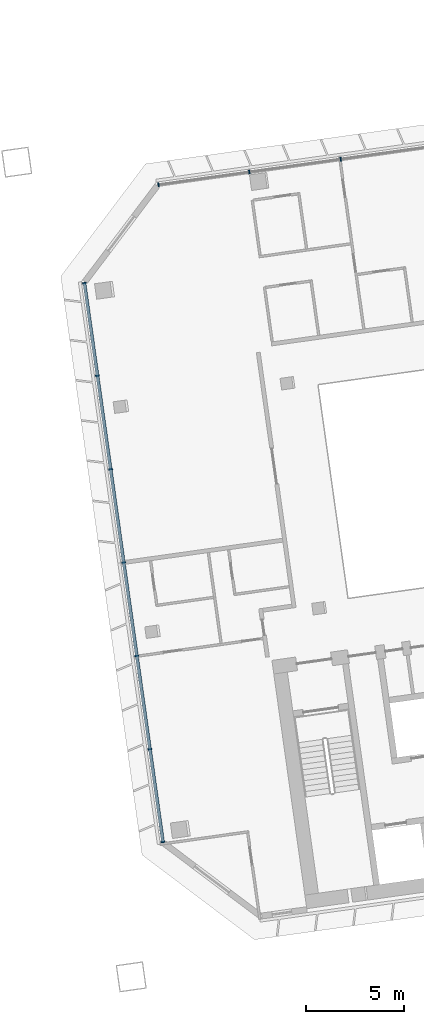
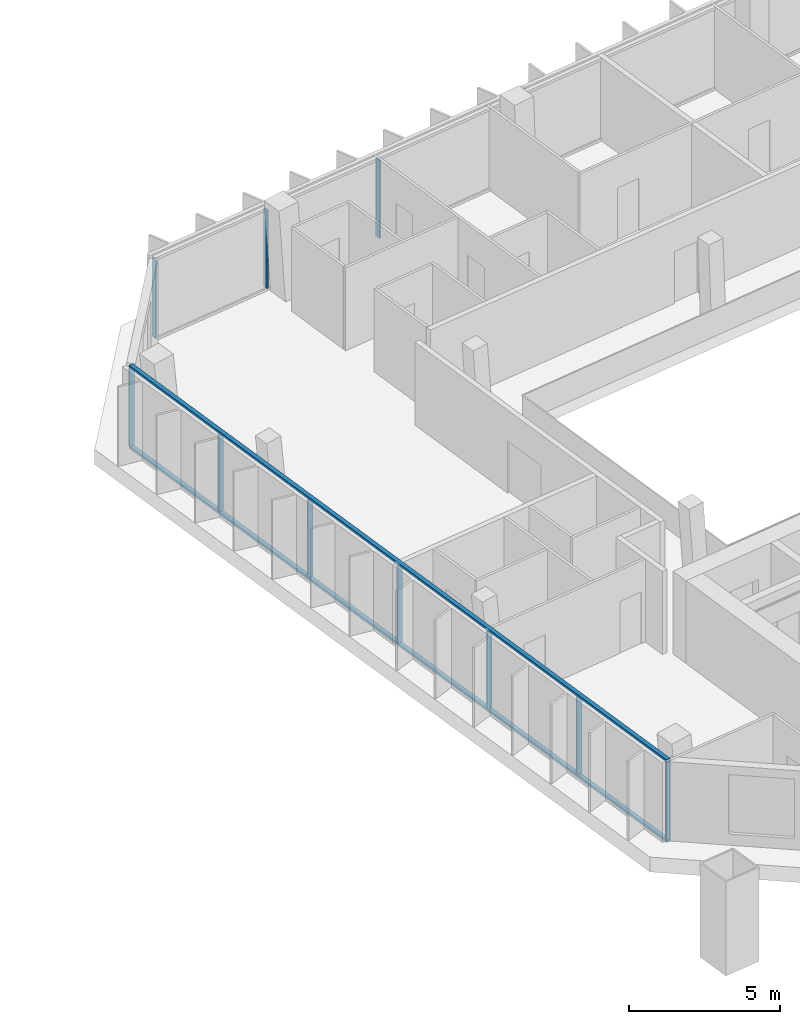
# One storey, part 7 of 23: 12 members, 2 elements without a shape of their own.
"""IFC4 building model written with IfcOpenShell, lengths in metres."""

from ifc_helpers import new_model, si_unit, direction, frame, origin, origin_2d, place, context, subcontext, project, spatial, rectangle, extrude, material, material_profile, profile_set, type_object, element, aggregate, save


model = new_model("IFC4")

# Units and contexts
model_context = context("Model", 3, precision=1e-05, world=origin(), true_north=direction((0.0, 1.0)))
body_context = subcontext(model_context, "Body", "Model", "MODEL_VIEW")
ifc_project = project(units=[si_unit("LENGTHUNIT", "METRE"), si_unit("AREAUNIT", "SQUARE_METRE"), si_unit("VOLUMEUNIT", "CUBIC_METRE"), si_unit("PLANEANGLEUNIT", "RADIAN"), si_unit("MASSUNIT", "GRAM", prefix="KILO")], contexts=[model_context])

# Site, building, storey
site_placement = place(None, origin())
site = spatial("IfcSite", under=ifc_project, at=site_placement, CompositionType="ELEMENT")
building_placement = place(site_placement, origin())
building = spatial("IfcBuilding", under=site, at=building_placement, Name="Mirante Cascada Hotel Towers", CompositionType="ELEMENT")
storey_placement = place(building_placement, frame((0.0, 0.0, 195.4)))
storey = spatial("IfcBuildingStorey", under=building, at=storey_placement, Name="L46", CompositionType="ELEMENT", Elevation=195.4)

# Curtain wall, members
ifc_material_1 = material(Name="Aluminium mullion and transom frame with clear laminated glass", Category="aluminium")
curtain_wall_type_1 = type_object("IfcCurtainWallType", Name="Ribbon curtain wall ECW1", PredefinedType="NOTDEFINED", material=ifc_material_1)
curtain_wall_1_placement = place(storey_placement, origin())
curtain_wall_1 = element("IfcCurtainWall", 1, at=curtain_wall_1_placement, inside=storey, type_object=curtain_wall_type_1, Name="Front ribbon wall T2 L46", PredefinedType="NOTDEFINED")
ifc_material_2 = material(Name="Anodised aluminium extrusion", Category="aluminium")
ifc_material_profile_1 = material_profile(ifc_material_2, rectangle(XDim=0.2, YDim=0.065, at=origin_2d()), Name="ECW1 MULLION 65x200")
ifc_profile_set_1 = profile_set([ifc_material_profile_1], Name="Anodised aluminium extrusion")
member_type_1 = type_object("IfcMemberType", Name="ECW1 mullion 65x200", PredefinedType="MULLION", material=ifc_profile_set_1)
member_1_placement = place(storey_placement, frame((39.003, 18.3005, 0.1), z_axis=(0.0, 0.0, 1.0), x_axis=(0.1391731, -0.9902681, 0.0)))
member_1 = element("IfcMember", 2, at=member_1_placement, type_object=member_type_1, Name="ECW1 mullion 9", PredefinedType="MULLION", context=body_context, shape_type="SweptSolid", body=[
    extrude(rectangle(XDim=0.2, YDim=0.065, at=origin_2d()), origin(), (0.0, 0.0, 1.0), 3.15),
])
member_2_placement = place(storey_placement, frame((34.3368, 17.6447, 0.1), z_axis=(0.0, 0.0, 1.0), x_axis=(0.1391731, -0.9902681, 0.0)))
member_2 = element("IfcMember", 3, at=member_2_placement, type_object=member_type_1, Name="ECW1 mullion 10", PredefinedType="MULLION", context=body_context, shape_type="SweptSolid", body=[
    extrude(rectangle(XDim=0.2, YDim=0.065, at=origin_2d()), origin(), (0.0, 0.0, 1.0), 3.15),
])
member_3_placement = place(storey_placement, frame((29.7026, 16.9935, 0.1), z_axis=(0.0, 0.0, 1.0), x_axis=(0.1391731, -0.9902681, 0.0)))
member_3 = element("IfcMember", 4, at=member_3_placement, type_object=member_type_1, Name="ECW1 mullion 11", PredefinedType="MULLION", context=body_context, shape_type="SweptSolid", body=[
    extrude(rectangle(XDim=0.2, YDim=0.065, at=origin_2d()), origin(), (0.0, 0.0, 1.0), 3.15),
])
aggregate(curtain_wall_1, [member_1, member_2, member_3])

ifc_material_3 = material(Name="Aluminium mullion and transom frame with clear laminated glass", Category="aluminium")
curtain_wall_type_2 = type_object("IfcCurtainWallType", Name="End ribbon curtain wall ECW2", PredefinedType="NOTDEFINED", material=ifc_material_3)
curtain_wall_2_placement = place(storey_placement, origin())
curtain_wall_2 = element("IfcCurtainWall", 5, at=curtain_wall_2_placement, inside=storey, type_object=curtain_wall_type_2, Name="Inner end wall T2 L46", PredefinedType="NOTDEFINED")
ifc_material_4 = material(Name="Anodised aluminium extrusion", Category="aluminium")
ifc_material_profile_2 = material_profile(ifc_material_4, rectangle(XDim=0.2, YDim=0.065, at=origin_2d()), Name="ECW2 MULLION 65x200")
ifc_profile_set_2 = profile_set([ifc_material_profile_2], Name="Anodised aluminium extrusion")
member_type_2 = type_object("IfcMemberType", Name="ECW2 mullion 65x200", PredefinedType="MULLION", material=ifc_profile_set_2)
member_4_placement = place(storey_placement, frame((25.9198, 11.9735, 0.1), z_axis=(0.0, 0.0, 1.0), x_axis=(0.9902681, 0.1391731, 0.0)))
member_4 = element("IfcMember", 6, at=member_4_placement, type_object=member_type_2, Name="ECW2 mullion 1", PredefinedType="MULLION", context=body_context, shape_type="SweptSolid", body=[
    extrude(rectangle(XDim=0.2, YDim=0.065, at=origin_2d()), origin(), (0.0, 0.0, 1.0), 3.15),
])
member_5_placement = place(storey_placement, frame((26.5851, 7.2399, 0.1), z_axis=(0.0, 0.0, 1.0), x_axis=(0.9902681, 0.1391731, 0.0)))
member_5 = element("IfcMember", 7, at=member_5_placement, type_object=member_type_2, Name="ECW2 mullion 2", PredefinedType="MULLION", context=body_context, shape_type="SweptSolid", body=[
    extrude(rectangle(XDim=0.2, YDim=0.065, at=origin_2d()), origin(), (0.0, 0.0, 1.0), 3.15),
])
member_6_placement = place(storey_placement, frame((27.2549, 2.4741, 0.1), z_axis=(0.0, 0.0, 1.0), x_axis=(0.9902681, 0.1391731, 0.0)))
member_6 = element("IfcMember", 8, at=member_6_placement, type_object=member_type_2, Name="ECW2 mullion 3", PredefinedType="MULLION", context=body_context, shape_type="SweptSolid", body=[
    extrude(rectangle(XDim=0.2, YDim=0.065, at=origin_2d()), origin(), (0.0, 0.0, 1.0), 3.15),
])
member_7_placement = place(storey_placement, frame((27.9247, -2.2917, 0.1), z_axis=(0.0, 0.0, 1.0), x_axis=(0.9902681, 0.1391731, 0.0)))
member_7 = element("IfcMember", 9, at=member_7_placement, type_object=member_type_2, Name="ECW2 mullion 4", PredefinedType="MULLION", context=body_context, shape_type="SweptSolid", body=[
    extrude(rectangle(XDim=0.2, YDim=0.065, at=origin_2d()), origin(), (0.0, 0.0, 1.0), 3.15),
])
member_8_placement = place(storey_placement, frame((28.5945, -7.0575, 0.1), z_axis=(0.0, 0.0, 1.0), x_axis=(0.9902681, 0.1391731, 0.0)))
member_8 = element("IfcMember", 10, at=member_8_placement, type_object=member_type_2, Name="ECW2 mullion 5", PredefinedType="MULLION", context=body_context, shape_type="SweptSolid", body=[
    extrude(rectangle(XDim=0.2, YDim=0.065, at=origin_2d()), origin(), (0.0, 0.0, 1.0), 3.15),
])
member_9_placement = place(storey_placement, frame((29.2643, -11.8232, 0.1), z_axis=(0.0, 0.0, 1.0), x_axis=(0.9902681, 0.1391731, 0.0)))
member_9 = element("IfcMember", 11, at=member_9_placement, type_object=member_type_2, Name="ECW2 mullion 6", PredefinedType="MULLION", context=body_context, shape_type="SweptSolid", body=[
    extrude(rectangle(XDim=0.2, YDim=0.065, at=origin_2d()), origin(), (0.0, 0.0, 1.0), 3.15),
])
member_10_placement = place(storey_placement, frame((29.9295, -16.5568, 0.1), z_axis=(0.0, 0.0, 1.0), x_axis=(0.9902681, 0.1391731, 0.0)))
member_10 = element("IfcMember", 12, at=member_10_placement, type_object=member_type_2, Name="ECW2 mullion 7", PredefinedType="MULLION", context=body_context, shape_type="SweptSolid", body=[
    extrude(rectangle(XDim=0.2, YDim=0.065, at=origin_2d()), origin(), (0.0, 0.0, 1.0), 3.15),
])
ifc_material_5 = material(Name="Anodised aluminium extrusion", Category="aluminium")
ifc_material_profile_3 = material_profile(ifc_material_5, rectangle(XDim=0.16, YDim=0.1, at=origin_2d()), Name="ECW2 TRANSOM 100x160")
ifc_profile_set_3 = profile_set([ifc_material_profile_3], Name="Anodised aluminium extrusion")
member_type_3 = type_object("IfcMemberType", Name="ECW2 transom 100x160", PredefinedType="USERDEFINED", material=ifc_profile_set_3)
member_11_placement = place(storey_placement, frame((25.9153, 12.0057, 0.05), z_axis=(0.1391723, -0.9902682, 0.0), x_axis=(0.9902682, 0.1391723, 0.0)))
member_11 = element("IfcMember", 13, at=member_11_placement, type_object=member_type_3, Name="ECW2 sill transom", ObjectType="TRANSOM", PredefinedType="USERDEFINED", context=body_context, shape_type="SweptSolid", body=[
    extrude(rectangle(XDim=0.16, YDim=0.1, at=origin_2d()), origin(), (0.0, 0.0, 1.0), 28.8757),
])
member_12_placement = place(storey_placement, frame((25.9153, 12.0057, 3.3), z_axis=(0.1391723, -0.9902682, 0.0), x_axis=(0.9902682, 0.1391723, 0.0)))
member_12 = element("IfcMember", 14, at=member_12_placement, type_object=member_type_3, Name="ECW2 head transom", ObjectType="TRANSOM", PredefinedType="USERDEFINED", context=body_context, shape_type="SweptSolid", body=[
    extrude(rectangle(XDim=0.16, YDim=0.1, at=origin_2d()), origin(), (0.0, 0.0, 1.0), 28.8757),
])
aggregate(curtain_wall_2, [member_11, member_12, member_4, member_5, member_6, member_7, member_8, member_9, member_10])

save(model, "model.ifc")
